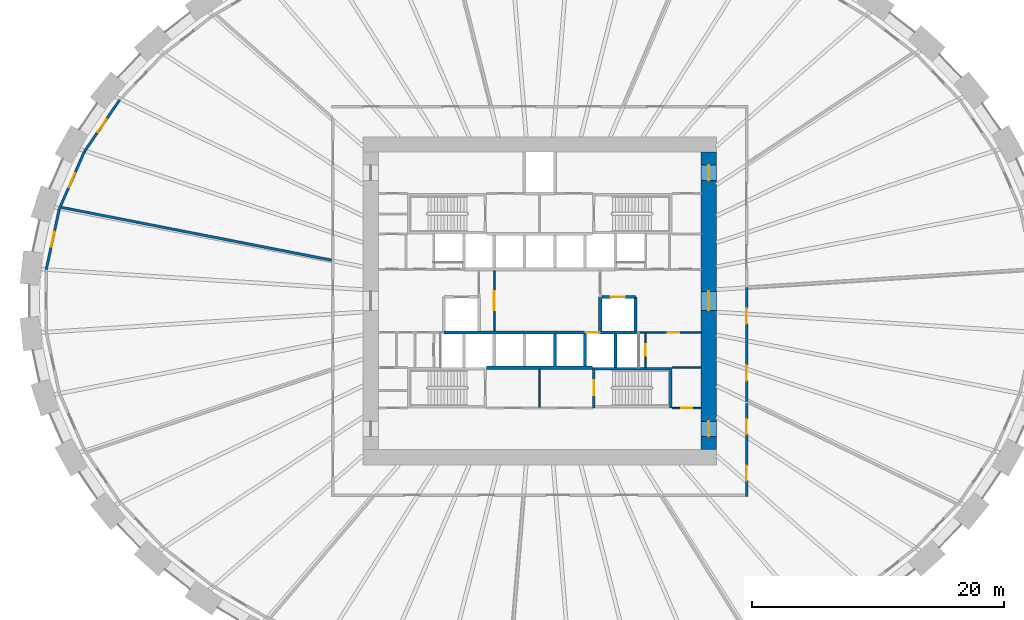
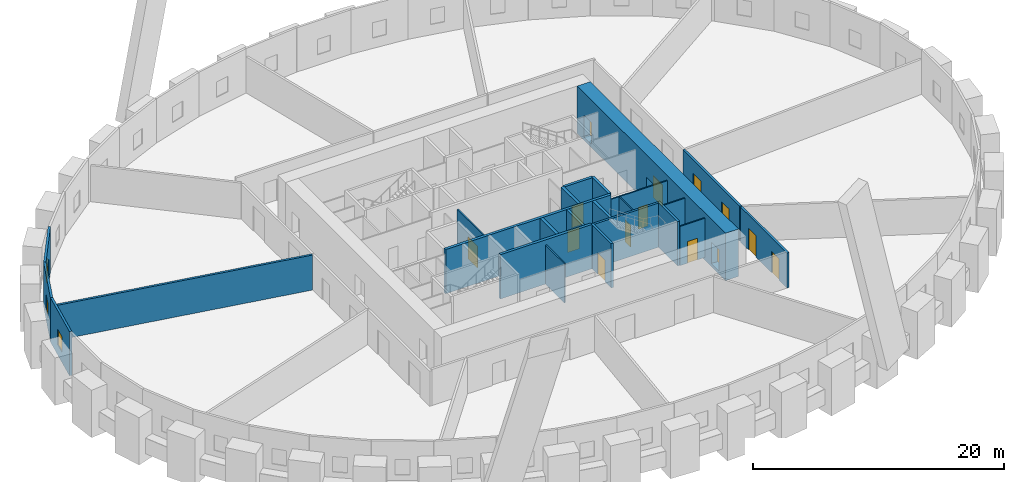
# One storey, part 5 of 9: 24 walls, 14 doors, 3 windows, 17 openings.
"""IFC4 building model written with IfcOpenShell, lengths in metres."""

from ifc_helpers import new_model, si_unit, direction, frame, frame_2d, origin, place, context, subcontext, project, spatial, rectangle, extrude, source, transform, mapped, material, layer, layer_set, type_object, element, fill, save


model = new_model("IFC4")

# Units and contexts
model_context = context("Model", 3, precision=1e-05, world=origin(), true_north=direction((0.0, 1.0)))
body_context = subcontext(model_context, "Body", "Model", "MODEL_VIEW")
ifc_project = project(units=[si_unit("LENGTHUNIT", "METRE"), si_unit("AREAUNIT", "SQUARE_METRE"), si_unit("VOLUMEUNIT", "CUBIC_METRE"), si_unit("PLANEANGLEUNIT", "RADIAN"), si_unit("MASSUNIT", "GRAM", prefix="KILO")], contexts=[model_context])

# Site, building, storey
site_placement = place(None, origin())
site = spatial("IfcSite", under=ifc_project, at=site_placement, CompositionType="ELEMENT")
building_placement = place(site_placement, origin())
building = spatial("IfcBuilding", under=site, at=building_placement, Name="Embergate Tower", CompositionType="ELEMENT")
storey_placement = place(building_placement, frame((0.0, 0.0, 53.60009765625)))
storey = spatial("IfcBuildingStorey", under=building, at=storey_placement, Name="L09", CompositionType="ELEMENT", Elevation=53.60009765625)

# Wall, openings, doors
ifc_material_1 = material(Name="Concrete C80", Category="concrete")
ifc_layer_1 = layer(ifc_material_1, 1.199951171875)
ifc_layer_set_1 = layer_set([ifc_layer_1], Name="Concrete C80")
wall_type_1 = type_object("IfcWallType", Name="Core outer wall C80 1200", PredefinedType="SHEAR", material=ifc_layer_set_1)
shared_shape_1 = source(origin(), body_context, "Body", "SweptSolid", [
    extrude(rectangle(XDim=23.60009765625, YDim=1.199951171875, at=frame_2d((11.800048828125, 0.0))), origin(), (0.0, 0.0, 1.0), 4.599853515625),
])
wall_1_placement = place(storey_placement, frame((13.39990234375, -11.800048828125, -0.300048828125), z_axis=(0.0, 0.0, 1.0), x_axis=(0.0, 1.0, 0.0)))
wall_1 = element("IfcWall", 1, at=wall_1_placement, inside=storey, type_object=wall_type_1, Name="CW-L09-E", PredefinedType="SHEAR", context=body_context, shape_type="MappedRepresentation", body=[
    mapped(shared_shape_1, transform((0.0, 0.0, 0.0))),
])
shared_shape_2 = source(origin(), body_context, "Body", "SweptSolid", [
    extrude(rectangle(XDim=1.199951171875, YDim=2.10009765625, at=frame_2d((0.60009765625, 1.050048828125))), frame((0.0, 0.60986328125, 0.0), z_axis=(0.0, -1.0, 0.0), x_axis=(1.0, 0.0, 0.0)), (0.0, 0.0, 1.0), 1.219970703125),
])
opening_1_placement = place(wall_1_placement, frame((21.35009765625, 0.0, 0.300048828125)))
opening_1 = element("IfcOpeningElement", 2, at=opening_1_placement, cuts=wall_1, Name="Opening IF-1", PredefinedType="OPENING", context=body_context, shape_type="MappedRepresentation", body=[
    mapped(shared_shape_2, transform((0.0, 0.0, 0.0))),
])
opening_2_placement = place(wall_1_placement, frame((1.050048828125, 0.0, 0.300048828125)))
opening_2 = element("IfcOpeningElement", 3, at=opening_2_placement, cuts=wall_1, Name="Opening IF-1", PredefinedType="OPENING", context=body_context, shape_type="MappedRepresentation", body=[
    mapped(shared_shape_2, transform((0.0, 0.0, 0.0))),
])
shared_shape_3 = source(origin(), body_context, "Body", "SweptSolid", [
    extrude(rectangle(XDim=1.5, YDim=2.10009765625, at=frame_2d((0.75, 1.050048828125))), frame((0.0, 0.60986328125, 0.0), z_axis=(0.0, -1.0, 0.0), x_axis=(1.0, 0.0, 0.0)), (0.0, 0.0, 1.0), 1.219970703125),
])
opening_3_placement = place(wall_1_placement, frame((11.050048828125, 0.0, 0.300048828125)))
opening_3 = element("IfcOpeningElement", 4, at=opening_3_placement, cuts=wall_1, Name="Opening IF-3", PredefinedType="OPENING", context=body_context, shape_type="MappedRepresentation", body=[
    mapped(shared_shape_3, transform((0.0, 0.0, 0.0))),
])
ifc_material_2 = material(Name="Escape fire door 1200")
door_type_1 = type_object("IfcDoorType", Name="Escape fire door 1200", OperationType="SINGLE_SWING_LEFT", PredefinedType="DOOR", material=ifc_material_2)
shared_shape_4 = source(origin(), body_context, "Body", "SweptSolid", [
    extrude(rectangle(XDim=1.199951171875, YDim=2.10009765625, at=frame_2d((0.60009765625, 1.050048828125))), frame((0.0, 0.02490234375, 0.0), z_axis=(0.0, -1.0, 0.0), x_axis=(1.0, 0.0, 0.0)), (0.0, 0.0, 1.0), 0.050048828125),
])
door_1_placement = place(opening_1_placement, origin())
door_1 = element("IfcDoor", 5, at=door_1_placement, inside=storey, type_object=door_type_1, Name="IF-1 door", OperationType="SINGLE_SWING_RIGHT", OverallHeight=2.10009765625, OverallWidth=1.199951171875, PredefinedType="DOOR", context=body_context, shape_type="MappedRepresentation", body=[
    mapped(shared_shape_4, transform((0.0, 0.0, 0.0))),
])
fill(opening_1, door_1)
door_2_placement = place(opening_2_placement, origin())
door_2 = element("IfcDoor", 6, at=door_2_placement, inside=storey, type_object=door_type_1, Name="IF-1 door", OperationType="SINGLE_SWING_RIGHT", OverallHeight=2.10009765625, OverallWidth=1.199951171875, PredefinedType="DOOR", context=body_context, shape_type="MappedRepresentation", body=[
    mapped(shared_shape_4, transform((0.0, 0.0, 0.0))),
])
fill(opening_2, door_2)
ifc_material_3 = material(Name="Lobby fire door pair 1500")
door_type_2 = type_object("IfcDoorType", Name="Lobby fire door pair 1500", OperationType="DOUBLE_DOOR_SINGLE_SWING", PredefinedType="DOOR", material=ifc_material_3)
shared_shape_5 = source(origin(), body_context, "Body", "SweptSolid", [
    extrude(rectangle(XDim=1.5, YDim=2.10009765625, at=frame_2d((0.75, 1.050048828125))), frame((0.0, 0.02490234375, 0.0), z_axis=(0.0, -1.0, 0.0), x_axis=(1.0, 0.0, 0.0)), (0.0, 0.0, 1.0), 0.050048828125),
])
door_3_placement = place(opening_3_placement, origin())
door_3 = element("IfcDoor", 7, at=door_3_placement, inside=storey, type_object=door_type_2, Name="IF-3 door", OperationType="DOUBLE_DOOR_SINGLE_SWING", OverallHeight=2.10009765625, OverallWidth=1.5, PredefinedType="DOOR", context=body_context, shape_type="MappedRepresentation", body=[
    mapped(shared_shape_5, transform((0.0, 0.0, 0.0))),
])
fill(opening_3, door_3)

# Wall, opening, window
ifc_material_4 = material(Name="Terracotta louvre cladding on insulated backing", Category="masonry")
ifc_layer_2 = layer(ifc_material_4, 0.199951171875)
ifc_layer_set_2 = layer_set([ifc_layer_2], Name="Terracotta louvre cladding on insulated backing")
wall_type_2 = type_object("IfcWallType", Name="Terracotta louvre wall", PredefinedType="SOLIDWALL", material=ifc_layer_set_2)
shared_shape_6 = source(origin(), body_context, "Body", "SweptSolid", [
    extrude(rectangle(XDim=4.91845703125, YDim=0.199951171875, at=frame_2d((2.459228515625, 0.0))), origin(), (0.0, 0.0, 1.0), 4.2998046875),
])
wall_2_placement = place(storey_placement, frame((-39.12060546875, 2.4775390625, 0.0), z_axis=(0.0, 0.0, 1.0), x_axis=(0.210413762809, 0.977612422395, 0.0)))
wall_2 = element("IfcWall", 8, at=wall_2_placement, inside=storey, type_object=wall_type_2, Name="Louvre wall 21", PredefinedType="SOLIDWALL", context=body_context, shape_type="MappedRepresentation", body=[
    mapped(shared_shape_6, transform((0.0, 0.0, 0.0))),
])
shared_shape_7 = source(origin(), body_context, "Body", "SweptSolid", [
    extrude(rectangle(XDim=1.199951171875, YDim=1.5, at=frame_2d((0.60009765625, 0.75))), frame((0.0, 0.10986328125, 0.0), z_axis=(0.0, -1.0, 0.0), x_axis=(1.0, 0.0, 0.0)), (0.0, 0.0, 1.0), 0.219970703125),
])
opening_4_placement = place(wall_2_placement, frame((1.859130859375, 0.0, 1.0)))
opening_4 = element("IfcOpeningElement", 9, at=opening_4_placement, cuts=wall_2, Name="Opening RW", PredefinedType="OPENING", context=body_context, shape_type="MappedRepresentation", body=[
    mapped(shared_shape_7, transform((0.0, 0.0, 0.0))),
])
ifc_material_5 = material(Name="Aluminium, thermally broken, triple glazed", Category="aluminium")
window_type = type_object("IfcWindowType", Name="Refuge operable window", PartitioningType="SINGLE_PANEL", PredefinedType="WINDOW", material=ifc_material_5)
shared_shape_8 = source(origin(), body_context, "Body", "SweptSolid", [
    extrude(rectangle(XDim=1.199951171875, YDim=1.5, at=frame_2d((0.60009765625, 0.75))), frame((0.0, 0.030029296875, 0.0), z_axis=(0.0, -1.0, 0.0), x_axis=(1.0, 0.0, 0.0)), (0.0, 0.0, 1.0), 0.06005859375),
])
window_1_placement = place(opening_4_placement, origin())
window_1 = element("IfcWindow", 10, at=window_1_placement, inside=storey, type_object=window_type, Name="Refuge window 21", OverallHeight=1.5, OverallWidth=1.199951171875, PartitioningType="SINGLE_PANEL", PredefinedType="WINDOW", context=body_context, shape_type="MappedRepresentation", body=[
    mapped(shared_shape_8, transform((0.0, 0.0, 0.0))),
])
fill(opening_4, window_1)

shared_shape_9 = source(origin(), body_context, "Body", "SweptSolid", [
    extrude(rectangle(XDim=4.92578125, YDim=0.199951171875, at=frame_2d((2.462890625, 0.0))), origin(), (0.0, 0.0, 1.0), 4.2998046875),
])
wall_3_placement = place(storey_placement, frame((-38.07958984375, 7.304931640625, 0.0), z_axis=(0.0, 0.0, 1.0), x_axis=(0.401622114254, 0.915805480079, 0.0)))
wall_3 = element("IfcWall", 11, at=wall_3_placement, inside=storey, type_object=wall_type_2, Name="Louvre wall 20", PredefinedType="SOLIDWALL", context=body_context, shape_type="MappedRepresentation", body=[
    mapped(shared_shape_9, transform((0.0, 0.0, 0.0))),
])
opening_5_placement = place(wall_3_placement, frame((1.86279296875, 0.0, 1.0)))
opening_5 = element("IfcOpeningElement", 12, at=opening_5_placement, cuts=wall_3, Name="Opening RW", PredefinedType="OPENING", context=body_context, shape_type="MappedRepresentation", body=[
    mapped(shared_shape_7, transform((0.0, 0.0, 0.0))),
])
window_2_placement = place(opening_5_placement, origin())
window_2 = element("IfcWindow", 13, at=window_2_placement, inside=storey, type_object=window_type, Name="Refuge window 20", OverallHeight=1.5, OverallWidth=1.199951171875, PartitioningType="SINGLE_PANEL", PredefinedType="WINDOW", context=body_context, shape_type="MappedRepresentation", body=[
    mapped(shared_shape_8, transform((0.0, 0.0, 0.0))),
])
fill(opening_5, window_2)

shared_shape_10 = source(origin(), body_context, "Body", "SweptSolid", [
    extrude(rectangle(XDim=4.934814453125, YDim=0.199951171875, at=frame_2d((2.46728515625, 0.0))), origin(), (0.0, 0.0, 1.0), 4.2998046875),
])
wall_4_placement = place(storey_placement, frame((-36.091796875, 11.833251953125, 0.0), z_axis=(0.0, 0.0, 1.0), x_axis=(0.562360088829, 0.826892454006, 0.0)))
wall_4 = element("IfcWall", 14, at=wall_4_placement, inside=storey, type_object=wall_type_2, Name="Louvre wall 19", PredefinedType="SOLIDWALL", context=body_context, shape_type="MappedRepresentation", body=[
    mapped(shared_shape_10, transform((0.0, 0.0, 0.0))),
])
opening_6_placement = place(wall_4_placement, frame((1.867431640625, 0.0, 1.0)))
opening_6 = element("IfcOpeningElement", 15, at=opening_6_placement, cuts=wall_4, Name="Opening RW", PredefinedType="OPENING", context=body_context, shape_type="MappedRepresentation", body=[
    mapped(shared_shape_7, transform((0.0, 0.0, 0.0))),
])
window_3_placement = place(opening_6_placement, origin())
window_3 = element("IfcWindow", 16, at=window_3_placement, inside=storey, type_object=window_type, Name="Refuge window 19", OverallHeight=1.5, OverallWidth=1.199951171875, PartitioningType="SINGLE_PANEL", PredefinedType="WINDOW", context=body_context, shape_type="MappedRepresentation", body=[
    mapped(shared_shape_8, transform((0.0, 0.0, 0.0))),
])
fill(opening_6, window_3)

# Walls
ifc_material_6 = material(Name="Concrete C50", Category="concrete")
ifc_layer_3 = layer(ifc_material_6, 0.25)
ifc_layer_set_3 = layer_set([ifc_layer_3], Name="Concrete C50")
wall_type_3 = type_object("IfcWallType", Name="Hoistway wall reinforced concrete 250", PredefinedType="SHEAR", material=ifc_layer_set_3)
shared_shape_11 = source(origin(), body_context, "Body", "SweptSolid", [
    extrude(rectangle(XDim=2.675048828125, YDim=0.25, at=frame_2d((1.33740234375, 0.0))), origin(), (0.0, 0.0, 1.0), 4.2998046875),
])
for number, where, z_axis, x_axis, name in (
    (17, (6.0, -5.300048828125, 0.0), (0.0, 0.0, 1.0), (0.0, 1.0, 0.0), "HW-1 wall"),
    (18, (4.800048828125, -2.375, 0.0), (0.0, 0.0, 1.0), (0.0, 1.0, 0.0), "HW-1 wall"),
):
    element("IfcWall", number, at=place(storey_placement, frame(where, z_axis=z_axis, x_axis=x_axis)), inside=storey, type_object=wall_type_3, Name=name, PredefinedType="SHEAR", context=body_context, shape_type="MappedRepresentation", body=[
        mapped(shared_shape_11, transform((0.0, 0.0, 0.0))),
    ])

# Wall, opening, door
wall_5_placement = place(storey_placement, frame((7.60009765625, 0.300048828125, 0.0), z_axis=(0.0, 0.0, 1.0), x_axis=(-1.0, 0.0, 0.0)))
wall_5 = element("IfcWall", 19, at=wall_5_placement, inside=storey, type_object=wall_type_3, Name="HW-1 wall", PredefinedType="SHEAR", context=body_context, shape_type="MappedRepresentation", body=[
    mapped(shared_shape_11, transform((0.0, 0.0, 0.0))),
])
shared_shape_12 = source(origin(), body_context, "Body", "SweptSolid", [
    extrude(rectangle(XDim=1.10009765625, YDim=2.10009765625, at=frame_2d((0.550048828125, 1.050048828125))), frame((0.0, 0.135009765625, 0.0), z_axis=(0.0, -1.0, 0.0), x_axis=(1.0, 0.0, 0.0)), (0.0, 0.0, 1.0), 0.27001953125),
])
opening_7_placement = place(wall_5_placement, frame((0.85009765625, 0.0, 0.0)))
opening_7 = element("IfcOpeningElement", 20, at=opening_7_placement, cuts=wall_5, Name="Opening LD", PredefinedType="OPENING", context=body_context, shape_type="MappedRepresentation", body=[
    mapped(shared_shape_12, transform((0.0, 0.0, 0.0))),
])
ifc_material_7 = material(Name="Landing door sliding 1100")
door_type_3 = type_object("IfcDoorType", Name="Landing door sliding 1100", OperationType="SLIDING_TO_LEFT", PredefinedType="DOOR", material=ifc_material_7)
shared_shape_13 = source(origin(), body_context, "Body", "SweptSolid", [
    extrude(rectangle(XDim=1.10009765625, YDim=2.10009765625, at=frame_2d((0.550048828125, 1.050048828125))), frame((0.0, 0.02490234375, 0.0), z_axis=(0.0, -1.0, 0.0), x_axis=(1.0, 0.0, 0.0)), (0.0, 0.0, 1.0), 0.050048828125),
])
door_4_placement = place(opening_7_placement, origin())
door_4 = element("IfcDoor", 21, at=door_4_placement, inside=storey, type_object=door_type_3, Name="LD door", OperationType="SLIDING_TO_LEFT", OverallHeight=2.10009765625, OverallWidth=1.10009765625, PredefinedType="DOOR", context=body_context, shape_type="MappedRepresentation", body=[
    mapped(shared_shape_13, transform((0.0, 0.0, 0.0))),
])
fill(opening_7, door_4)

# Walls
wall_6_placement = place(storey_placement, frame((7.60009765625, -2.375, 0.0), z_axis=(0.0, 0.0, 1.0), x_axis=(0.0, 1.0, 0.0)))
element("IfcWall", 22, at=wall_6_placement, inside=storey, type_object=wall_type_3, Name="HW-1 wall", PredefinedType="SHEAR", context=body_context, shape_type="MappedRepresentation", body=[
    mapped(shared_shape_11, transform((0.0, 0.0, 0.0))),
])
ifc_layer_4 = layer(ifc_material_6, 0.199951171875)
ifc_layer_set_4 = layer_set([ifc_layer_4], Name="Concrete C50")
wall_type_4 = type_object("IfcWallType", Name="Stair enclosure wall reinforced concrete 250", PredefinedType="SHEAR", material=ifc_layer_set_4)
shared_shape_14 = source(origin(), body_context, "Body", "SweptSolid", [
    extrude(rectangle(XDim=6.300048828125, YDim=0.199951171875, at=frame_2d((3.14990234375, 0.0))), origin(), (0.0, 0.0, 1.0), 4.2998046875),
])
wall_7_placement = place(storey_placement, frame((4.199951171875, -5.39990234375, 0.0), z_axis=(0.0, 0.0, 1.0), x_axis=(1.0, 0.0, 0.0)))
element("IfcWall", 23, at=wall_7_placement, inside=storey, type_object=wall_type_4, Name="SE-1 wall", PredefinedType="SHEAR", context=body_context, shape_type="MappedRepresentation", body=[
    mapped(shared_shape_14, transform((0.0, 0.0, 0.0))),
])

# Wall, opening, door
ifc_material_8 = material(Name="Core partition blockwork 120")
ifc_layer_5 = layer(ifc_material_8, 0.1201171875)
ifc_layer_set_5 = layer_set([ifc_layer_5], Name="Core partition blockwork 120")
wall_type_5 = type_object("IfcWallType", Name="Core partition blockwork 120", PredefinedType="PARTITIONING", material=ifc_layer_set_5)
shared_shape_15 = source(origin(), body_context, "Body", "SweptSolid", [
    extrude(rectangle(XDim=2.739990234375, YDim=0.1201171875, at=frame_2d((1.3701171875, 0.0))), origin(), (0.0, 0.0, 1.0), 3.7998046875),
])
wall_8_placement = place(storey_placement, frame((8.39990234375, -5.300048828125, 0.0), z_axis=(0.0, 0.0, 1.0), x_axis=(0.0, 1.0, 0.0)))
wall_8 = element("IfcWall", 24, at=wall_8_placement, inside=storey, type_object=wall_type_5, Name="IP-3 wall", PredefinedType="PARTITIONING", context=body_context, shape_type="MappedRepresentation", body=[
    mapped(shared_shape_15, transform((0.0, 0.0, 0.0))),
])
shared_shape_16 = source(origin(), body_context, "Body", "SweptSolid", [
    extrude(rectangle(XDim=0.89990234375, YDim=2.10009765625, at=frame_2d((0.449951171875, 1.050048828125))), frame((0.0, 0.070068359375, 0.0), z_axis=(0.0, -1.0, 0.0), x_axis=(1.0, 0.0, 0.0)), (0.0, 0.0, 1.0), 0.14013671875),
])
opening_8_placement = place(wall_8_placement, frame((0.949951171875, 0.0, 0.0)))
opening_8 = element("IfcOpeningElement", 25, at=opening_8_placement, cuts=wall_8, Name="Opening ID-1", PredefinedType="OPENING", context=body_context, shape_type="MappedRepresentation", body=[
    mapped(shared_shape_16, transform((0.0, 0.0, 0.0))),
])
ifc_material_9 = material(Name="Interior door 900")
door_type_4 = type_object("IfcDoorType", Name="Interior door 900", OperationType="SINGLE_SWING_LEFT", PredefinedType="DOOR", material=ifc_material_9)
shared_shape_17 = source(origin(), body_context, "Body", "SweptSolid", [
    extrude(rectangle(XDim=0.89990234375, YDim=2.10009765625, at=frame_2d((0.449951171875, 1.050048828125))), frame((0.0, 0.02490234375, 0.0), z_axis=(0.0, -1.0, 0.0), x_axis=(1.0, 0.0, 0.0)), (0.0, 0.0, 1.0), 0.050048828125),
])
door_5_placement = place(opening_8_placement, origin())
door_5 = element("IfcDoor", 26, at=door_5_placement, inside=storey, type_object=door_type_4, Name="ID-1 door", OperationType="SINGLE_SWING_RIGHT", OverallHeight=2.10009765625, OverallWidth=0.89990234375, PredefinedType="DOOR", context=body_context, shape_type="MappedRepresentation", body=[
    mapped(shared_shape_17, transform((0.0, 0.0, 0.0))),
])
fill(opening_8, door_5)

# Walls
shared_shape_18 = source(origin(), body_context, "Body", "SweptSolid", [
    extrude(rectangle(XDim=2.550048828125, YDim=0.25, at=frame_2d((1.27490234375, 0.0))), origin(), (0.0, 0.0, 1.0), 4.2998046875),
])
for number, where, z_axis, x_axis, name in (
    (27, (1.199951171875, -5.175048828125, 0.0), (0.0, 0.0, 1.0), (0.0, 1.0, 0.0), "HW-1 wall"),
    (28, (3.60009765625, -5.175048828125, 0.0), (0.0, 0.0, 1.0), (0.0, 1.0, 0.0), "HW-1 wall"),
):
    element("IfcWall", number, at=place(storey_placement, frame(where, z_axis=z_axis, x_axis=x_axis)), inside=storey, type_object=wall_type_3, Name=name, PredefinedType="SHEAR", context=body_context, shape_type="MappedRepresentation", body=[
        mapped(shared_shape_18, transform((0.0, 0.0, 0.0))),
    ])
shared_shape_19 = source(origin(), body_context, "Body", "SweptSolid", [
    extrude(rectangle(XDim=8.39990234375, YDim=0.25, at=frame_2d((4.199951171875, 0.0))), origin(), (0.0, 0.0, 1.0), 4.2998046875),
])
wall_9_placement = place(storey_placement, frame((-4.199951171875, -5.300048828125, 0.0), z_axis=(0.0, 0.0, 1.0), x_axis=(1.0, 0.0, 0.0)))
element("IfcWall", 29, at=wall_9_placement, inside=storey, type_object=wall_type_3, Name="HW-1 wall", PredefinedType="SHEAR", context=body_context, shape_type="MappedRepresentation", body=[
    mapped(shared_shape_19, transform((0.0, 0.0, 0.0))),
])

# Wall, opening, door
shared_shape_20 = source(origin(), body_context, "Body", "SweptSolid", [
    extrude(rectangle(XDim=15.2001953125, YDim=0.25, at=frame_2d((7.60009765625, 0.0))), origin(), (0.0, 0.0, 1.0), 4.2998046875),
])
wall_10_placement = place(storey_placement, frame((7.60009765625, -2.5, 0.0), z_axis=(0.0, 0.0, 1.0), x_axis=(-1.0, 0.0, 0.0)))
wall_10 = element("IfcWall", 30, at=wall_10_placement, inside=storey, type_object=wall_type_3, Name="HW-1 wall", PredefinedType="SHEAR", context=body_context, shape_type="MappedRepresentation", body=[
    mapped(shared_shape_20, transform((0.0, 0.0, 0.0))),
])
opening_9_placement = place(wall_10_placement, frame((2.85009765625, 0.0, 0.0)))
opening_9 = element("IfcOpeningElement", 31, at=opening_9_placement, cuts=wall_10, Name="Opening LD", PredefinedType="OPENING", context=body_context, shape_type="MappedRepresentation", body=[
    mapped(shared_shape_12, transform((0.0, 0.0, 0.0))),
])
door_6_placement = place(opening_9_placement, origin())
door_6 = element("IfcDoor", 32, at=door_6_placement, inside=storey, type_object=door_type_3, Name="LD door", OperationType="SLIDING_TO_RIGHT", OverallHeight=2.10009765625, OverallWidth=1.10009765625, PredefinedType="DOOR", context=body_context, shape_type="MappedRepresentation", body=[
    mapped(shared_shape_13, transform((0.0, 0.0, 0.0))),
])
fill(opening_9, door_6)

shared_shape_21 = source(origin(), body_context, "Body", "SweptSolid", [
    extrude(rectangle(XDim=5.199951171875, YDim=0.1201171875, at=frame_2d((2.60009765625, 0.0))), origin(), (0.0, 0.0, 1.0), 3.7998046875),
])
wall_11_placement = place(storey_placement, frame((12.800048828125, -2.5, 0.0), z_axis=(0.0, 0.0, 1.0), x_axis=(-1.0, 0.0, 0.0)))
wall_11 = element("IfcWall", 33, at=wall_11_placement, inside=storey, type_object=wall_type_5, Name="IP-3 wall", PredefinedType="PARTITIONING", context=body_context, shape_type="MappedRepresentation", body=[
    mapped(shared_shape_21, transform((0.0, 0.0, 0.0))),
])
opening_10_placement = place(wall_11_placement, frame((1.75, 0.0, 0.0)))
opening_10 = element("IfcOpeningElement", 34, at=opening_10_placement, cuts=wall_11, Name="Opening ID-1", PredefinedType="OPENING", context=body_context, shape_type="MappedRepresentation", body=[
    mapped(shared_shape_16, transform((0.0, 0.0, 0.0))),
])
door_7_placement = place(opening_10_placement, origin())
door_7 = element("IfcDoor", 35, at=door_7_placement, inside=storey, type_object=door_type_4, Name="ID-1 door", OperationType="SINGLE_SWING_RIGHT", OverallHeight=2.10009765625, OverallWidth=0.89990234375, PredefinedType="DOOR", context=body_context, shape_type="MappedRepresentation", body=[
    mapped(shared_shape_17, transform((0.0, 0.0, 0.0))),
])
fill(opening_10, door_7)

shared_shape_22 = source(origin(), body_context, "Body", "SweptSolid", [
    extrude(rectangle(XDim=4.75, YDim=0.1201171875, at=frame_2d((2.375, 0.0))), origin(), (0.0, 0.0, 1.0), 3.7998046875),
])
wall_12_placement = place(storey_placement, frame((-3.60009765625, -2.375, 0.0), z_axis=(0.0, 0.0, 1.0), x_axis=(0.0, 1.0, 0.0)))
wall_12 = element("IfcWall", 36, at=wall_12_placement, inside=storey, type_object=wall_type_5, Name="IP-3 wall", PredefinedType="PARTITIONING", context=body_context, shape_type="MappedRepresentation", body=[
    mapped(shared_shape_22, transform((0.0, 0.0, 0.0))),
])
shared_shape_23 = source(origin(), body_context, "Body", "SweptSolid", [
    extrude(rectangle(XDim=1.5, YDim=2.10009765625, at=frame_2d((0.75, 1.050048828125))), frame((0.0, 0.070068359375, 0.0), z_axis=(0.0, -1.0, 0.0), x_axis=(1.0, 0.0, 0.0)), (0.0, 0.0, 1.0), 0.14013671875),
])
opening_11_placement = place(wall_12_placement, frame((1.625, 0.0, 0.0)))
opening_11 = element("IfcOpeningElement", 37, at=opening_11_placement, cuts=wall_12, Name="Opening IF-3", PredefinedType="OPENING", context=body_context, shape_type="MappedRepresentation", body=[
    mapped(shared_shape_23, transform((0.0, 0.0, 0.0))),
])
door_8_placement = place(opening_11_placement, origin())
door_8 = element("IfcDoor", 38, at=door_8_placement, inside=storey, type_object=door_type_2, Name="IF-3 door", OperationType="DOUBLE_DOOR_SINGLE_SWING", OverallHeight=2.10009765625, OverallWidth=1.5, PredefinedType="DOOR", context=body_context, shape_type="MappedRepresentation", body=[
    mapped(shared_shape_5, transform((0.0, 0.0, 0.0))),
])
fill(opening_11, door_8)

shared_shape_24 = source(origin(), body_context, "Body", "SweptSolid", [
    extrude(rectangle(XDim=3.199951171875, YDim=0.199951171875, at=frame_2d((1.60009765625, 0.0))), origin(), (0.0, 0.0, 1.0), 4.2998046875),
])
wall_13_placement = place(storey_placement, frame((4.300048828125, -5.300048828125, 0.0), z_axis=(0.0, 0.0, 1.0), x_axis=(0.0, -1.0, 0.0)))
wall_13 = element("IfcWall", 39, at=wall_13_placement, inside=storey, type_object=wall_type_4, Name="SE-1 wall", PredefinedType="SHEAR", context=body_context, shape_type="MappedRepresentation", body=[
    mapped(shared_shape_24, transform((0.0, 0.0, 0.0))),
])
shared_shape_25 = source(origin(), body_context, "Body", "SweptSolid", [
    extrude(rectangle(XDim=1.199951171875, YDim=2.10009765625, at=frame_2d((0.60009765625, 1.050048828125))), frame((0.0, 0.10986328125, 0.0), z_axis=(0.0, -1.0, 0.0), x_axis=(1.0, 0.0, 0.0)), (0.0, 0.0, 1.0), 0.219970703125),
])
opening_12_placement = place(wall_13_placement, frame((1.0, 0.0, 0.0)))
opening_12 = element("IfcOpeningElement", 40, at=opening_12_placement, cuts=wall_13, Name="Opening IF-2", PredefinedType="OPENING", context=body_context, shape_type="MappedRepresentation", body=[
    mapped(shared_shape_25, transform((0.0, 0.0, 0.0))),
])
ifc_material_10 = material(Name="Stair enclosure door 1200")
door_type_5 = type_object("IfcDoorType", Name="Stair enclosure door 1200", OperationType="SINGLE_SWING_LEFT", PredefinedType="DOOR", material=ifc_material_10)
door_9_placement = place(opening_12_placement, origin())
door_9 = element("IfcDoor", 41, at=door_9_placement, inside=storey, type_object=door_type_5, Name="IF-2 door", OperationType="SINGLE_SWING_RIGHT", OverallHeight=2.10009765625, OverallWidth=1.199951171875, PredefinedType="DOOR", context=body_context, shape_type="MappedRepresentation", body=[
    mapped(shared_shape_4, transform((0.0, 0.0, 0.0))),
])
fill(opening_12, door_9)

# Walls
wall_14_placement = place(storey_placement, frame((10.39990234375, -8.5, 0.0), z_axis=(0.0, 0.0, 1.0), x_axis=(0.0, 1.0, 0.0)))
element("IfcWall", 42, at=wall_14_placement, inside=storey, type_object=wall_type_4, Name="SE-1 wall", PredefinedType="SHEAR", context=body_context, shape_type="MappedRepresentation", body=[
    mapped(shared_shape_24, transform((0.0, 0.0, 0.0))),
])
shared_shape_26 = source(origin(), body_context, "Body", "SweptSolid", [
    extrude(rectangle(XDim=3.014892578125, YDim=0.1201171875, at=frame_2d((1.50732421875, 0.0))), origin(), (0.0, 0.0, 1.0), 3.7998046875),
])
wall_15_placement = place(storey_placement, frame((0.0, -8.43994140625, 0.0), z_axis=(0.0, 0.0, 1.0), x_axis=(0.0, 1.0, 0.0)))
element("IfcWall", 43, at=wall_15_placement, inside=storey, type_object=wall_type_5, Name="IP-3 wall", PredefinedType="PARTITIONING", context=body_context, shape_type="MappedRepresentation", body=[
    mapped(shared_shape_26, transform((0.0, 0.0, 0.0))),
])

# Wall, opening, door
shared_shape_27 = source(origin(), body_context, "Body", "SweptSolid", [
    extrude(rectangle(XDim=2.300048828125, YDim=0.1201171875, at=frame_2d((1.14990234375, 0.0))), origin(), (0.0, 0.0, 1.0), 3.7998046875),
])
wall_16_placement = place(storey_placement, frame((12.800048828125, -8.5, 0.0), z_axis=(0.0, 0.0, 1.0), x_axis=(-1.0, 0.0, 0.0)))
wall_16 = element("IfcWall", 44, at=wall_16_placement, inside=storey, type_object=wall_type_5, Name="IP-3 wall", PredefinedType="PARTITIONING", context=body_context, shape_type="MappedRepresentation", body=[
    mapped(shared_shape_27, transform((0.0, 0.0, 0.0))),
])
opening_13_placement = place(wall_16_placement, frame((0.699951171875, 0.0, 0.0)))
opening_13 = element("IfcOpeningElement", 45, at=opening_13_placement, cuts=wall_16, Name="Opening ID-1", PredefinedType="OPENING", context=body_context, shape_type="MappedRepresentation", body=[
    mapped(shared_shape_16, transform((0.0, 0.0, 0.0))),
])
door_10_placement = place(opening_13_placement, origin())
door_10 = element("IfcDoor", 46, at=door_10_placement, inside=storey, type_object=door_type_4, Name="ID-1 door", OperationType="SINGLE_SWING_RIGHT", OverallHeight=2.10009765625, OverallWidth=0.89990234375, PredefinedType="DOOR", context=body_context, shape_type="MappedRepresentation", body=[
    mapped(shared_shape_17, transform((0.0, 0.0, 0.0))),
])
fill(opening_13, door_10)

# Walls
wall_17_placement = place(storey_placement, frame((10.5, -5.300048828125, 0.0), z_axis=(0.0, 0.0, 1.0), x_axis=(1.0, 0.0, 0.0)))
element("IfcWall", 47, at=wall_17_placement, inside=storey, type_object=wall_type_5, Name="IP-3 wall", PredefinedType="PARTITIONING", context=body_context, shape_type="MappedRepresentation", body=[
    mapped(shared_shape_27, transform((0.0, 0.0, 0.0))),
])
ifc_material_11 = material(Name="Blockwork, plastered", Category="masonry")
ifc_layer_6 = layer(ifc_material_11, 0.199951171875)
ifc_layer_set_6 = layer_set([ifc_layer_6], Name="Blockwork, plastered")
wall_type_6 = type_object("IfcWallType", Name="Fire partition wall 200 block", PredefinedType="PARTITIONING", material=ifc_layer_set_6)
shared_shape_28 = source(origin(), body_context, "Body", "SweptSolid", [
    extrude(rectangle(XDim=21.824951171875, YDim=0.199951171875, at=frame_2d((10.91259765625, 0.0))), origin(), (0.0, 0.0, 1.0), 3.39990234375),
])
wall_18_placement = place(storey_placement, frame((-16.498046875, 3.22412109375, 0.0), z_axis=(0.0, 0.0, 1.0), x_axis=(-0.981444767277, 0.191745061957, 0.0)))
element("IfcWall", 48, at=wall_18_placement, inside=storey, type_object=wall_type_6, Name="Partition 004", PredefinedType="PARTITIONING", context=body_context, shape_type="MappedRepresentation", body=[
    mapped(shared_shape_28, transform((0.0, 0.0, 0.0))),
])

# Wall, openings, doors
shared_shape_29 = source(origin(), body_context, "Body", "SweptSolid", [
    extrude(rectangle(XDim=7.375, YDim=0.199951171875, at=frame_2d((3.6875, 0.0))), origin(), (0.0, 0.0, 1.0), 3.39990234375),
])
wall_19_placement = place(storey_placement, frame((16.39990234375, -8.125, 0.0), z_axis=(0.0, 0.0, 1.0), x_axis=(0.0, -1.0, 0.0)))
wall_19 = element("IfcWall", 49, at=wall_19_placement, inside=storey, type_object=wall_type_6, Name="Partition 019", PredefinedType="PARTITIONING", context=body_context, shape_type="MappedRepresentation", body=[
    mapped(shared_shape_29, transform((0.0, 0.0, 0.0))),
])
opening_14_placement = place(wall_19_placement, frame((1.243896484375, 0.0, 0.0)))
opening_14 = element("IfcOpeningElement", 50, at=opening_14_placement, cuts=wall_19, Name="Opening DS-151", PredefinedType="OPENING", context=body_context, shape_type="MappedRepresentation", body=[
    mapped(shared_shape_25, transform((0.0, 0.0, 0.0))),
])
opening_15_placement = place(wall_19_placement, frame((4.930908203125, 0.0, 0.0)))
opening_15 = element("IfcOpeningElement", 51, at=opening_15_placement, cuts=wall_19, Name="Opening DS-152", PredefinedType="OPENING", context=body_context, shape_type="MappedRepresentation", body=[
    mapped(shared_shape_25, transform((0.0, 0.0, 0.0))),
])
ifc_material_12 = material(Name="Timber door leaf, steel frame", Category="steel")
door_type_6 = type_object("IfcDoorType", Name="Plant door 1200x2100", OperationType="SINGLE_SWING_LEFT", PredefinedType="DOOR", material=ifc_material_12)
shared_shape_30 = source(origin(), body_context, "Body", "SweptSolid", [
    extrude(rectangle(XDim=1.199951171875, YDim=2.10009765625, at=frame_2d((0.60009765625, 1.050048828125))), frame((0.0, 0.02490234375, 0.0), z_axis=(0.0, -1.0, 0.0), x_axis=(1.0, 0.0, 0.0)), (0.0, 0.0, 1.0), 0.050048828125),
])
door_11_placement = place(opening_14_placement, origin())
door_11 = element("IfcDoor", 52, at=door_11_placement, inside=storey, type_object=door_type_6, Name="Door to Water tank room", OperationType="SINGLE_SWING_LEFT", OverallHeight=2.10009765625, OverallWidth=1.199951171875, PredefinedType="DOOR", context=body_context, shape_type="MappedRepresentation", body=[
    mapped(shared_shape_30, transform((0.0, 0.0, 0.0))),
])
fill(opening_14, door_11)
door_12_placement = place(opening_15_placement, origin())
door_12 = element("IfcDoor", 53, at=door_12_placement, inside=storey, type_object=door_type_6, Name="Door to Water tank room", OperationType="SINGLE_SWING_LEFT", OverallHeight=2.10009765625, OverallWidth=1.199951171875, PredefinedType="DOOR", context=body_context, shape_type="MappedRepresentation", body=[
    mapped(shared_shape_30, transform((0.0, 0.0, 0.0))),
])
fill(opening_15, door_12)

shared_shape_31 = source(origin(), body_context, "Body", "SweptSolid", [
    extrude(rectangle(XDim=9.0400390625, YDim=0.199951171875, at=frame_2d((4.52001953125, 0.0))), origin(), (0.0, 0.0, 1.0), 3.39990234375),
])
wall_20_placement = place(storey_placement, frame((16.39990234375, 1.054931640625, 0.0), z_axis=(0.0, 0.0, 1.0), x_axis=(0.0, -1.0, 0.0)))
wall_20 = element("IfcWall", 54, at=wall_20_placement, inside=storey, type_object=wall_type_6, Name="Partition 021", PredefinedType="PARTITIONING", context=body_context, shape_type="MappedRepresentation", body=[
    mapped(shared_shape_31, transform((0.0, 0.0, 0.0))),
])
opening_16_placement = place(wall_20_placement, frame((1.659912109375, 0.0, 0.0)))
opening_16 = element("IfcOpeningElement", 55, at=opening_16_placement, cuts=wall_20, Name="Opening DS-153", PredefinedType="OPENING", context=body_context, shape_type="MappedRepresentation", body=[
    mapped(shared_shape_25, transform((0.0, 0.0, 0.0))),
])
opening_17_placement = place(wall_20_placement, frame((6.179931640625, 0.0, 0.0)))
opening_17 = element("IfcOpeningElement", 56, at=opening_17_placement, cuts=wall_20, Name="Opening DS-154", PredefinedType="OPENING", context=body_context, shape_type="MappedRepresentation", body=[
    mapped(shared_shape_25, transform((0.0, 0.0, 0.0))),
])
door_13_placement = place(opening_16_placement, origin())
door_13 = element("IfcDoor", 57, at=door_13_placement, inside=storey, type_object=door_type_6, Name="Door to Pump plant room", OperationType="SINGLE_SWING_LEFT", OverallHeight=2.10009765625, OverallWidth=1.199951171875, PredefinedType="DOOR", context=body_context, shape_type="MappedRepresentation", body=[
    mapped(shared_shape_30, transform((0.0, 0.0, 0.0))),
])
fill(opening_16, door_13)
door_14_placement = place(opening_17_placement, origin())
door_14 = element("IfcDoor", 58, at=door_14_placement, inside=storey, type_object=door_type_6, Name="Door to Pump plant room", OperationType="SINGLE_SWING_LEFT", OverallHeight=2.10009765625, OverallWidth=1.199951171875, PredefinedType="DOOR", context=body_context, shape_type="MappedRepresentation", body=[
    mapped(shared_shape_30, transform((0.0, 0.0, 0.0))),
])
fill(opening_17, door_14)

save(model, "model.ifc")
